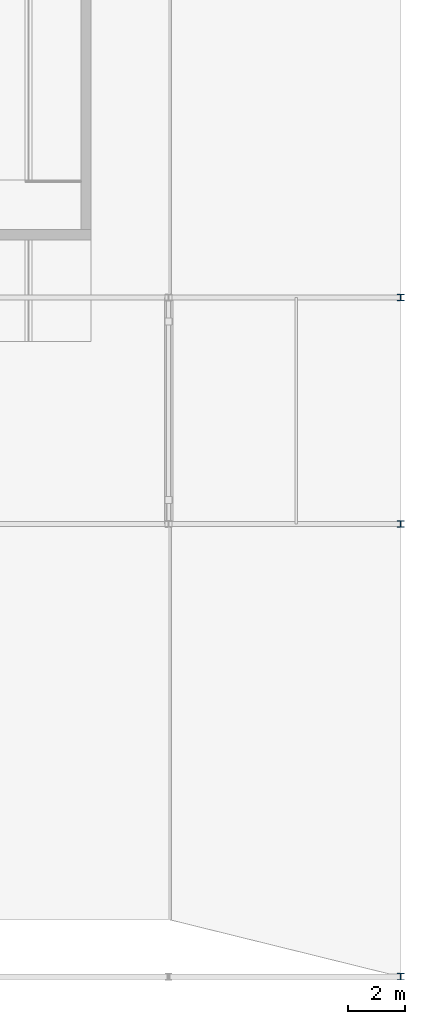
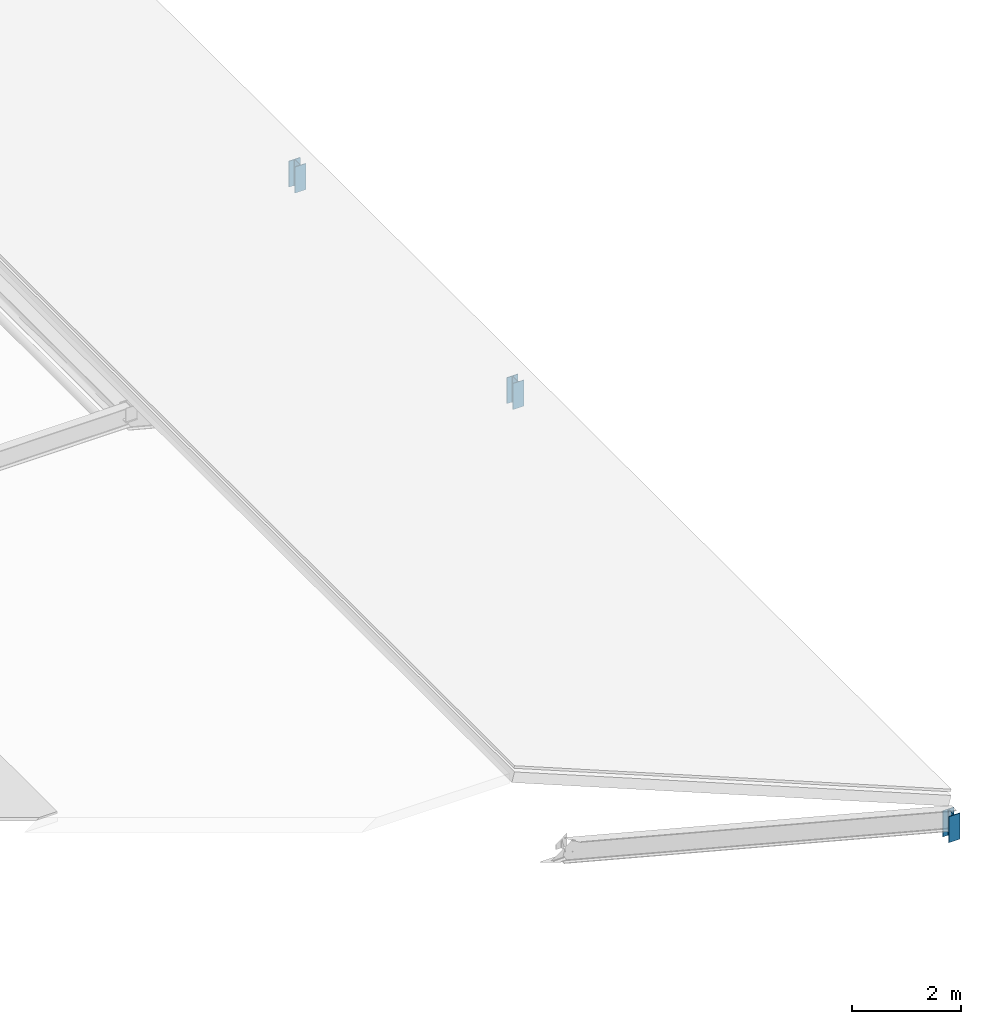
# One storey, part 4 of 8: 3 members.
"""IFC4 building model written with IfcOpenShell, lengths in metres."""

from ifc_helpers import new_model, si_unit, direction, frame, origin, origin_2d, place, context, subcontext, project, spatial, i_section, extrude, material, material_profile, profile_set, type_object, element, save


model = new_model("IFC4")

# Units and contexts
model_context = context("Model", 3, precision=1e-05, world=origin(), true_north=direction((0.0, 1.0)))
body_context = subcontext(model_context, "Body", "Model", "MODEL_VIEW")
ifc_project = project(units=[si_unit("LENGTHUNIT", "METRE"), si_unit("AREAUNIT", "SQUARE_METRE"), si_unit("VOLUMEUNIT", "CUBIC_METRE"), si_unit("PLANEANGLEUNIT", "RADIAN"), si_unit("MASSUNIT", "GRAM", prefix="KILO")], contexts=[model_context])

# Site, building, storey
site_placement = place(None, origin())
site = spatial("IfcSite", under=ifc_project, at=site_placement, CompositionType="ELEMENT")
building_placement = place(site_placement, origin())
building = spatial("IfcBuilding", under=site, at=building_placement, Name="Kenh Van Central Station", CompositionType="ELEMENT")
storey_placement = place(building_placement, frame((0.0, 0.0, 27.60009765625)))
storey = spatial("IfcBuildingStorey", under=building, at=storey_placement, Name="RF", CompositionType="ELEMENT", Elevation=27.60009765625)

# Members
ifc_material = material(Name="Steel S355", Category="steel")
ifc_material_profile = material_profile(ifc_material, i_section(OverallWidth=0.239990234375, OverallDepth=0.22998046875, WebThickness=0.007568359375, FlangeThickness=0.011962890625, FilletRadius=0.02099609375, at=origin_2d()), Name="HEA 240")
ifc_profile_set = profile_set([ifc_material_profile], Name="Steel S355")
member_type = type_object("IfcMemberType", Name="MEM-ROOF-POST240", PredefinedType="POST", material=ifc_profile_set)
for number, where, z_axis, x_axis, name in (
    (1, (176.0, 24.0, -0.9501953125), (0.0, 0.0, 1.0), (1.0, 0.0, 0.0), "RF roof eave post 204"),
    (2, (176.0, 40.0, -0.9501953125), (0.0, 0.0, 1.0), (1.0, 0.0, 0.0), "RF roof eave post 207"),
    (3, (176.0, 48.0, -0.9501953125), (0.0, 0.0, 1.0), (1.0, 0.0, 0.0), "RF roof eave post 210"),
):
    element("IfcMember", number, at=place(storey_placement, frame(where, z_axis=z_axis, x_axis=x_axis)), inside=storey, type_object=member_type, Name=name, PredefinedType="POST", context=body_context, shape_type="SweptSolid", body=[
        extrude(i_section(OverallWidth=0.239990234375, OverallDepth=0.22998046875, WebThickness=0.007568359375, FlangeThickness=0.011962890625, FilletRadius=0.02099609375, at=origin_2d()), origin(), (0.0, 0.0, 1.0), 0.58447265625),
    ])

save(model, "model.ifc")
